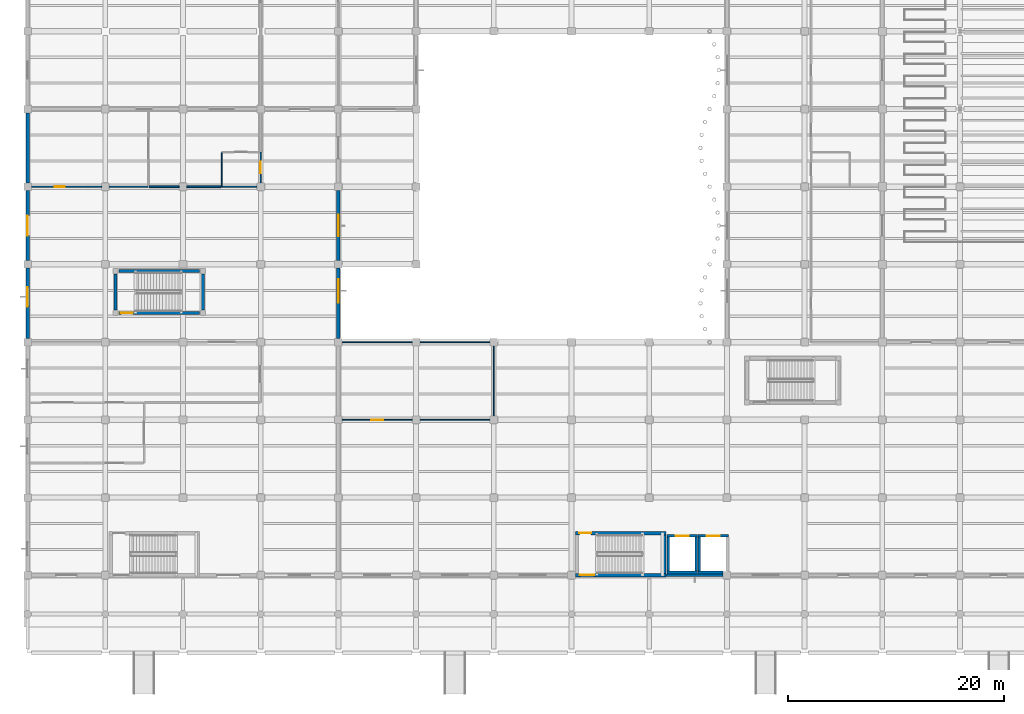
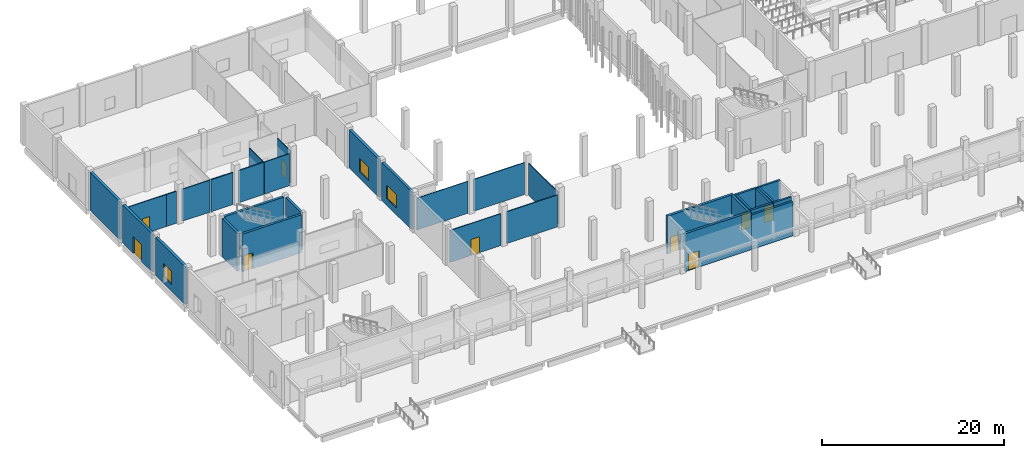
# One storey, part 23 of 46: 33 walls, 9 doors, 3 windows, 12 openings.
"""IFC4 building model written with IfcOpenShell, lengths in metres."""

from ifc_helpers import new_model, si_unit, direction, frame, frame_2d, origin, place, context, subcontext, project, spatial, rectangle, extrude, material, layer, layer_set, type_object, element, fill, save


model = new_model("IFC4")

# Units and contexts
model_context = context("Model", 3, precision=1e-05, world=origin(), true_north=direction((0.0, 1.0)))
body_context = subcontext(model_context, "Body", "Model", "MODEL_VIEW")
ifc_project = project(units=[si_unit("LENGTHUNIT", "METRE"), si_unit("AREAUNIT", "SQUARE_METRE"), si_unit("VOLUMEUNIT", "CUBIC_METRE"), si_unit("PLANEANGLEUNIT", "RADIAN"), si_unit("MASSUNIT", "GRAM", prefix="KILO"), si_unit("THERMODYNAMICTEMPERATUREUNIT", "KELVIN"), si_unit("POWERUNIT", "WATT")], contexts=[model_context])

# Site, building, storey
site_placement = place(None, origin())
site = spatial("IfcSite", under=ifc_project, at=site_placement, CompositionType="ELEMENT")
building_placement = place(site_placement, origin())
building = spatial("IfcBuilding", under=site, at=building_placement, Name="Kaldorven Railside Theatre", CompositionType="ELEMENT")
storey_placement = place(building_placement, origin())
storey = spatial("IfcBuildingStorey", under=building, at=storey_placement, Name="L00", CompositionType="ELEMENT", Elevation=0.0)

# Wall, opening, window
ifc_material_1 = material(Name="Architectural concrete C40/50", Category="concrete")
ifc_layer_1 = layer(ifc_material_1, 0.320068359375, Name="Architectural concrete C40/50")
ifc_layer_set_1 = layer_set([ifc_layer_1], Name="Architectural concrete C40/50")
wall_type_1 = type_object("IfcWallType", Name="WL-EW04", PredefinedType="SOLIDWALL", material=ifc_layer_set_1)
wall_1_placement = place(storey_placement, frame((8.0, 41.14990234375, 0.0), z_axis=(0.0, 0.0, 1.0), x_axis=(0.0, 1.0, 0.0)))
wall_1 = element("IfcWall", 1, at=wall_1_placement, inside=storey, type_object=wall_type_1, Name="V3 L00 Exterior Wall EW-0138", PredefinedType="SOLIDWALL", context=body_context, shape_type="SweptSolid", body=[
    extrude(rectangle(XDim=6.5, YDim=0.320068359375, at=frame_2d((3.25, 0.0))), origin(), (0.0, 0.0, 1.0), 5.1201171875),
])
opening_1_placement = place(wall_1_placement, frame((2.949951171875, 0.0, 0.89990234375)))
opening_1 = element("IfcOpeningElement", 2, at=opening_1_placement, cuts=wall_1, Name="Opening WN-004", PredefinedType="OPENING", context=body_context, shape_type="SweptSolid", body=[
    extrude(rectangle(XDim=1.800048828125, YDim=1.800048828125, at=frame_2d((0.89990234375, 0.89990234375))), frame((0.0, 0.169921875, 0.0), z_axis=(0.0, -1.0, 0.0), x_axis=(1.0, 0.0, 0.0)), (0.0, 0.0, 1.0), 0.340087890625),
])
ifc_material_2 = material(Name="Low-E laminated solar-control glass", Category="glass")
window_type_1 = type_object("IfcWindowType", Name="WN-EW04", PartitioningType="SINGLE_PANEL", PredefinedType="WINDOW", material=ifc_material_2)
window_1_placement = place(opening_1_placement, origin())
window_1 = element("IfcWindow", 3, at=window_1_placement, inside=storey, type_object=window_type_1, Name="Shaded Acoustic Exterior Window WN-004", OverallHeight=1.800048828125, OverallWidth=1.800048828125, PartitioningType="SINGLE_PANEL", PredefinedType="WINDOW", context=body_context, shape_type="SweptSolid", body=[
    extrude(rectangle(XDim=1.800048828125, YDim=1.800048828125, at=frame_2d((0.89990234375, 0.89990234375))), frame((0.0, 0.030029296875, 0.0), z_axis=(0.0, -1.0, 0.0), x_axis=(1.0, 0.0, 0.0)), (0.0, 0.0, 1.0), 0.06005859375),
])
fill(opening_1, window_1)

# Wall, opening, door
wall_2_placement = place(storey_placement, frame((8.0, 48.35009765625, 0.0), z_axis=(0.0, 0.0, 1.0), x_axis=(0.0, 1.0, 0.0)))
wall_2 = element("IfcWall", 4, at=wall_2_placement, inside=storey, type_object=wall_type_1, Name="V3 L00 Exterior Wall EW-0139", PredefinedType="SOLIDWALL", context=body_context, shape_type="SweptSolid", body=[
    extrude(rectangle(XDim=6.5, YDim=0.320068359375, at=frame_2d((3.25, 0.0))), origin(), (0.0, 0.0, 1.0), 5.1201171875),
])
opening_2_placement = place(wall_2_placement, frame((2.324951171875, 0.0, 0.0)))
opening_2 = element("IfcOpeningElement", 5, at=opening_2_placement, cuts=wall_2, Name="Opening ED-004", PredefinedType="OPENING", context=body_context, shape_type="SweptSolid", body=[
    extrude(rectangle(XDim=1.85009765625, YDim=2.25, at=frame_2d((0.925048828125, 1.125))), frame((0.0, 0.169921875, 0.0), z_axis=(0.0, -1.0, 0.0), x_axis=(1.0, 0.0, 0.0)), (0.0, 0.0, 1.0), 0.340087890625),
])
ifc_material_3 = material(Name="Powder-coated hollow-metal steel", Category="steel")
door_type_1 = type_object("IfcDoorType", Name="DR-ED05", OperationType="NOTDEFINED", PredefinedType="DOOR", material=ifc_material_3)
door_1_placement = place(opening_2_placement, origin())
door_1 = element("IfcDoor", 6, at=door_1_placement, inside=storey, type_object=door_type_1, Name="Main Entrance ED-004", OperationType="DOUBLE_DOOR_SINGLE_SWING", OverallHeight=2.25, OverallWidth=1.85009765625, PredefinedType="DOOR", context=body_context, shape_type="SweptSolid", body=[
    extrude(rectangle(XDim=1.85009765625, YDim=2.25, at=frame_2d((0.925048828125, 1.125))), frame((0.0, 0.02490234375, 0.0), z_axis=(0.0, -1.0, 0.0), x_axis=(1.0, 0.0, 0.0)), (0.0, 0.0, 1.0), 0.050048828125),
])
fill(opening_2, door_1)

# Wall
wall_3_placement = place(storey_placement, frame((8.0, 55.550048828125, 0.0), z_axis=(0.0, 0.0, 1.0), x_axis=(0.0, 1.0, 0.0)))
element("IfcWall", 7, at=wall_3_placement, inside=storey, type_object=wall_type_1, Name="V3 L00 Exterior Wall EW-0140", PredefinedType="SOLIDWALL", context=body_context, shape_type="SweptSolid", body=[
    extrude(rectangle(XDim=6.5, YDim=0.320068359375, at=frame_2d((3.25, 0.0))), origin(), (0.0, 0.0, 1.0), 5.1201171875),
])

# Wall, opening, window
wall_4_placement = place(storey_placement, frame((36.800048828125, 54.85009765625, 0.0), z_axis=(0.0, 0.0, 1.0), x_axis=(0.0, -1.0, 0.0)))
wall_4 = element("IfcWall", 8, at=wall_4_placement, inside=storey, type_object=wall_type_1, Name="V3 L00 Exterior Wall EW-0142", PredefinedType="SOLIDWALL", context=body_context, shape_type="SweptSolid", body=[
    extrude(rectangle(XDim=6.5, YDim=0.320068359375, at=frame_2d((3.25, 0.0))), origin(), (0.0, 0.0, 1.0), 5.1201171875),
])
opening_3_placement = place(wall_4_placement, frame((2.25, 0.0, 0.89990234375)))
opening_3 = element("IfcOpeningElement", 9, at=opening_3_placement, cuts=wall_4, Name="Opening WN-005", PredefinedType="OPENING", context=body_context, shape_type="SweptSolid", body=[
    extrude(rectangle(XDim=2.0, YDim=1.800048828125, at=frame_2d((1.0, 0.89990234375))), frame((0.0, 0.169921875, 0.0), z_axis=(0.0, -1.0, 0.0), x_axis=(1.0, 0.0, 0.0)), (0.0, 0.0, 1.0), 0.340087890625),
])
window_type_2 = type_object("IfcWindowType", Name="WN-EW05", PartitioningType="SINGLE_PANEL", PredefinedType="WINDOW", material=ifc_material_2)
window_2_placement = place(opening_3_placement, origin())
window_2 = element("IfcWindow", 10, at=window_2_placement, inside=storey, type_object=window_type_2, Name="Shaded Acoustic Exterior Window WN-005", OverallHeight=1.800048828125, OverallWidth=2.0, PartitioningType="SINGLE_PANEL", PredefinedType="WINDOW", context=body_context, shape_type="SweptSolid", body=[
    extrude(rectangle(XDim=2.0, YDim=1.800048828125, at=frame_2d((1.0, 0.89990234375))), frame((0.0, 0.030029296875, 0.0), z_axis=(0.0, -1.0, 0.0), x_axis=(1.0, 0.0, 0.0)), (0.0, 0.0, 1.0), 0.06005859375),
])
fill(opening_3, window_2)

wall_5_placement = place(storey_placement, frame((36.800048828125, 47.64990234375, 0.0), z_axis=(0.0, 0.0, 1.0), x_axis=(0.0, -1.0, 0.0)))
wall_5 = element("IfcWall", 11, at=wall_5_placement, inside=storey, type_object=wall_type_1, Name="V3 L00 Exterior Wall EW-0143", PredefinedType="SOLIDWALL", context=body_context, shape_type="SweptSolid", body=[
    extrude(rectangle(XDim=6.5, YDim=0.320068359375, at=frame_2d((3.25, 0.0))), origin(), (0.0, 0.0, 1.0), 5.1201171875),
])
opening_4_placement = place(wall_5_placement, frame((1.0, 0.0, 0.89990234375)))
opening_4 = element("IfcOpeningElement", 12, at=opening_4_placement, cuts=wall_5, Name="Opening WN-006", PredefinedType="OPENING", context=body_context, shape_type="SweptSolid", body=[
    extrude(rectangle(XDim=2.199951171875, YDim=1.800048828125, at=frame_2d((1.10009765625, 0.89990234375))), frame((0.0, 0.169921875, 0.0), z_axis=(0.0, -1.0, 0.0), x_axis=(1.0, 0.0, 0.0)), (0.0, 0.0, 1.0), 0.340087890625),
])
window_type_3 = type_object("IfcWindowType", Name="WN-EW06", PartitioningType="SINGLE_PANEL", PredefinedType="WINDOW", material=ifc_material_2)
window_3_placement = place(opening_4_placement, origin())
window_3 = element("IfcWindow", 13, at=window_3_placement, inside=storey, type_object=window_type_3, Name="Shaded Acoustic Exterior Window WN-006", OverallHeight=1.800048828125, OverallWidth=2.199951171875, PartitioningType="SINGLE_PANEL", PredefinedType="WINDOW", context=body_context, shape_type="SweptSolid", body=[
    extrude(rectangle(XDim=2.199951171875, YDim=1.800048828125, at=frame_2d((1.10009765625, 0.89990234375))), frame((0.0, 0.030029296875, 0.0), z_axis=(0.0, -1.0, 0.0), x_axis=(1.0, 0.0, 0.0)), (0.0, 0.0, 1.0), 0.06005859375),
])
fill(opening_4, window_3)

# Walls
ifc_material_4 = material(Name="Precast concrete C40/50", Category="concrete")
ifc_layer_2 = layer(ifc_material_4, 0.25, Name="Precast concrete C40/50")
ifc_layer_set_2 = layer_set([ifc_layer_2], Name="Precast concrete C40/50")
wall_type_2 = type_object("IfcWallType", Name="WL-EW06", PredefinedType="SOLIDWALL", material=ifc_layer_set_2)
wall_6_placement = place(storey_placement, frame((72.449951171875, 19.199951171875, 0.0), z_axis=(0.0, 0.0, 1.0), x_axis=(-1.0, 0.0, 0.0)))
element("IfcWall", 14, at=wall_6_placement, inside=storey, type_object=wall_type_2, Name="V5 L00 Exterior Wall EW-0201", PredefinedType="SOLIDWALL", context=body_context, shape_type="SweptSolid", body=[
    extrude(rectangle(XDim=5.300048828125, YDim=0.25, at=frame_2d((2.64990234375, 0.0))), origin(), (0.0, 0.0, 1.0), 4.64501953125),
])
ifc_material_5 = material(Name="Acoustic gypsum board")
ifc_layer_3 = layer(ifc_material_5, 0.14990234375, Name="Acoustic gypsum board")
ifc_layer_set_3 = layer_set([ifc_layer_3], Name="Acoustic gypsum board")
wall_type_3 = type_object("IfcWallType", Name="WL-IW-AC1", PredefinedType="PARTITIONING", material=ifc_layer_set_3)
wall_7_placement = place(storey_placement, frame((25.947998046875, 55.199951171875, 0.0), z_axis=(0.0, 0.0, 1.0), x_axis=(-1.0, 0.0, 0.0)))
element("IfcWall", 15, at=wall_7_placement, inside=storey, type_object=wall_type_3, Name="L00 Interior Wall IW-0464", PredefinedType="PARTITIONING", context=body_context, shape_type="SweptSolid", body=[
    extrude(rectangle(XDim=3.197998046875, YDim=0.14990234375, at=frame_2d((1.59912109375, 0.0))), origin(), (0.0, 0.0, 1.0), 4.31494140625),
])
wall_8_placement = place(storey_placement, frame((22.050048828125, 55.199951171875, 0.0), z_axis=(0.0, 0.0, 1.0), x_axis=(-1.0, 0.0, 0.0)))
element("IfcWall", 16, at=wall_8_placement, inside=storey, type_object=wall_type_3, Name="L00 Interior Wall IW-0465", PredefinedType="PARTITIONING", context=body_context, shape_type="SweptSolid", body=[
    extrude(rectangle(XDim=2.7880859375, YDim=0.14990234375, at=frame_2d((1.39404296875, 0.0))), origin(), (0.0, 0.0, 1.0), 4.31494140625),
])

# Wall, opening, door
ifc_material_6 = material(Name="Concrete C40/50", Category="concrete")
ifc_layer_4 = layer(ifc_material_6, 0.300048828125, Name="Concrete C40/50")
ifc_layer_set_4 = layer_set([ifc_layer_4], Name="Concrete C40/50")
wall_type_4 = type_object("IfcWallType", Name="WL-IW-CORE", PredefinedType="SHEAR", material=ifc_layer_set_4)
wall_9_placement = place(storey_placement, frame((23.949951171875, 43.5, 0.0), z_axis=(0.0, 0.0, 1.0), x_axis=(-1.0, 0.0, 0.0)))
wall_9 = element("IfcWall", 17, at=wall_9_placement, inside=storey, type_object=wall_type_4, Name="L00 Core Wall CW-0017", PredefinedType="SHEAR", context=body_context, shape_type="SweptSolid", body=[
    extrude(rectangle(XDim=7.5, YDim=0.300048828125, at=frame_2d((3.75, 0.0))), origin(), (0.0, 0.0, 1.0), 5.1201171875),
])
opening_5_placement = place(wall_9_placement, frame((6.199951171875, 0.0, 0.0)))
opening_5 = element("IfcOpeningElement", 18, at=opening_5_placement, cuts=wall_9, Name="Opening ID-0005", PredefinedType="OPENING", context=body_context, shape_type="SweptSolid", body=[
    extrude(rectangle(XDim=1.10009765625, YDim=2.14990234375, at=frame_2d((0.550048828125, 1.074951171875))), frame((0.0, 0.16015625, 0.0), z_axis=(0.0, -1.0, 0.0), x_axis=(1.0, 0.0, 0.0)), (0.0, 0.0, 1.0), 0.320068359375),
])
ifc_material_7 = material(Name="Acoustic hardwood timber", Category="wood")
door_type_2 = type_object("IfcDoorType", Name="DR-ID-FD60", OperationType="NOTDEFINED", PredefinedType="DOOR", material=ifc_material_7)
door_2_placement = place(opening_5_placement, origin())
door_2 = element("IfcDoor", 19, at=door_2_placement, inside=storey, type_object=door_type_2, Name="Stair ST-02 Fire Door", OperationType="SINGLE_SWING_LEFT", OverallHeight=2.14990234375, OverallWidth=1.10009765625, PredefinedType="DOOR", context=body_context, shape_type="SweptSolid", body=[
    extrude(rectangle(XDim=1.10009765625, YDim=2.14990234375, at=frame_2d((0.550048828125, 1.074951171875))), frame((0.0, 0.02490234375, 0.0), z_axis=(0.0, -1.0, 0.0), x_axis=(1.0, 0.0, 0.0)), (0.0, 0.0, 1.0), 0.050048828125),
])
fill(opening_5, door_2)

# Walls
wall_10_placement = place(storey_placement, frame((16.14990234375, 43.800048828125, 0.0), z_axis=(0.0, 0.0, 1.0), x_axis=(0.0, 1.0, 0.0)))
element("IfcWall", 20, at=wall_10_placement, inside=storey, type_object=wall_type_4, Name="L00 Core Wall CW-0018", PredefinedType="SHEAR", context=body_context, shape_type="SweptSolid", body=[
    extrude(rectangle(XDim=3.300048828125, YDim=0.300048828125, at=frame_2d((1.64990234375, 0.0))), origin(), (0.0, 0.0, 1.0), 5.1201171875),
])
wall_11_placement = place(storey_placement, frame((16.449951171875, 47.39990234375, 0.0), z_axis=(0.0, 0.0, 1.0), x_axis=(1.0, 0.0, 0.0)))
element("IfcWall", 21, at=wall_11_placement, inside=storey, type_object=wall_type_4, Name="L00 Core Wall CW-0019", PredefinedType="SHEAR", context=body_context, shape_type="SweptSolid", body=[
    extrude(rectangle(XDim=7.5, YDim=0.300048828125, at=frame_2d((3.75, 0.0))), origin(), (0.0, 0.0, 1.0), 5.1201171875),
])
wall_12_placement = place(storey_placement, frame((24.25, 47.10009765625, 0.0), z_axis=(0.0, 0.0, 1.0), x_axis=(0.0, -1.0, 0.0)))
element("IfcWall", 22, at=wall_12_placement, inside=storey, type_object=wall_type_4, Name="L00 Core Wall CW-0020", PredefinedType="SHEAR", context=body_context, shape_type="SweptSolid", body=[
    extrude(rectangle(XDim=3.300048828125, YDim=0.300048828125, at=frame_2d((1.64990234375, 0.0))), origin(), (0.0, 0.0, 1.0), 5.1201171875),
])

# Wall, opening, door
wall_13_placement = place(storey_placement, frame((67.14990234375, 19.199951171875, 0.0), z_axis=(0.0, 0.0, 1.0), x_axis=(-1.0, 0.0, 0.0)))
wall_13 = element("IfcWall", 23, at=wall_13_placement, inside=storey, type_object=wall_type_4, Name="L00 Core Wall CW-0033", PredefinedType="SHEAR", context=body_context, shape_type="SweptSolid", body=[
    extrude(rectangle(XDim=8.39990234375, YDim=0.300048828125, at=frame_2d((4.199951171875, 0.0))), origin(), (0.0, 0.0, 1.0), 5.10009765625),
])
opening_6_placement = place(wall_13_placement, frame((6.625, 0.0, 0.0)))
opening_6 = element("IfcOpeningElement", 24, at=opening_6_placement, cuts=wall_13, Name="Opening ED-202", PredefinedType="OPENING", context=body_context, shape_type="SweptSolid", body=[
    extrude(rectangle(XDim=1.35009765625, YDim=2.199951171875, at=frame_2d((0.675048828125, 1.10009765625))), frame((0.0, 0.16015625, 0.0), z_axis=(0.0, -1.0, 0.0), x_axis=(1.0, 0.0, 0.0)), (0.0, 0.0, 1.0), 0.320068359375),
])
door_type_3 = type_object("IfcDoorType", Name="DR-ED04", OperationType="NOTDEFINED", PredefinedType="DOOR", material=ifc_material_3)
door_3_placement = place(opening_6_placement, origin())
door_3 = element("IfcDoor", 25, at=door_3_placement, inside=storey, type_object=door_type_3, Name="Pedestrian Final Exit (ST-03)", OperationType="SINGLE_SWING_LEFT", OverallHeight=2.199951171875, OverallWidth=1.35009765625, PredefinedType="DOOR", context=body_context, shape_type="SweptSolid", body=[
    extrude(rectangle(XDim=1.35009765625, YDim=2.199951171875, at=frame_2d((0.675048828125, 1.10009765625))), frame((0.0, 0.02490234375, 0.0), z_axis=(0.0, -1.0, 0.0), x_axis=(1.0, 0.0, 0.0)), (0.0, 0.0, 1.0), 0.050048828125),
])
fill(opening_6, door_3)

wall_14_placement = place(storey_placement, frame((58.75, 23.10009765625, 0.0), z_axis=(0.0, 0.0, 1.0), x_axis=(1.0, 0.0, 0.0)))
wall_14 = element("IfcWall", 26, at=wall_14_placement, inside=storey, type_object=wall_type_4, Name="L00 Core Wall CW-0035", PredefinedType="SHEAR", context=body_context, shape_type="SweptSolid", body=[
    extrude(rectangle(XDim=8.39990234375, YDim=0.300048828125, at=frame_2d((4.199951171875, 0.0))), origin(), (0.0, 0.0, 1.0), 5.10009765625),
])
opening_7_placement = place(wall_14_placement, frame((0.3701171875, 0.0, 0.0)))
opening_7 = element("IfcOpeningElement", 27, at=opening_7_placement, cuts=wall_14, Name="Opening ID-0009", PredefinedType="OPENING", context=body_context, shape_type="SweptSolid", body=[
    extrude(rectangle(XDim=1.10009765625, YDim=2.14990234375, at=frame_2d((0.550048828125, 1.074951171875))), frame((0.0, 0.16015625, 0.0), z_axis=(0.0, -1.0, 0.0), x_axis=(1.0, 0.0, 0.0)), (0.0, 0.0, 1.0), 0.320068359375),
])
door_4_placement = place(opening_7_placement, origin())
door_4 = element("IfcDoor", 28, at=door_4_placement, inside=storey, type_object=door_type_2, Name="Stair ST-03 Fire Door", OperationType="SINGLE_SWING_LEFT", OverallHeight=2.14990234375, OverallWidth=1.10009765625, PredefinedType="DOOR", context=body_context, shape_type="SweptSolid", body=[
    extrude(rectangle(XDim=1.10009765625, YDim=2.14990234375, at=frame_2d((0.550048828125, 1.074951171875))), frame((0.0, 0.02490234375, 0.0), z_axis=(0.0, -1.0, 0.0), x_axis=(1.0, 0.0, 0.0)), (0.0, 0.0, 1.0), 0.050048828125),
])
fill(opening_7, door_4)

# Wall
wall_15_placement = place(storey_placement, frame((67.0, 22.947998046875, 0.0), z_axis=(0.0, 0.0, 1.0), x_axis=(0.0, -1.0, 0.0)))
element("IfcWall", 29, at=wall_15_placement, inside=storey, type_object=wall_type_4, Name="L00 Core Wall CW-0036", PredefinedType="SHEAR", context=body_context, shape_type="SweptSolid", body=[
    extrude(rectangle(XDim=3.595947265625, YDim=0.300048828125, at=frame_2d((1.7978515625, 0.0))), origin(), (0.0, 0.0, 1.0), 5.10009765625),
])

# Wall, opening, door
ifc_material_8 = material(Name="Fire-rated acoustic gypsum board")
ifc_layer_5 = layer(ifc_material_8, 0.1201171875, Name="Fire-rated acoustic gypsum board")
ifc_layer_set_5 = layer_set([ifc_layer_5], Name="Fire-rated acoustic gypsum board")
wall_type_5 = type_object("IfcWallType", Name="WL-IW-PT1", PredefinedType="PARTITIONING", material=ifc_layer_set_5)
wall_16_placement = place(storey_placement, frame((8.35009765625, 55.199951171875, 0.0), z_axis=(0.0, 0.0, 1.0), x_axis=(1.0, 0.0, 0.0)))
wall_16 = element("IfcWall", 30, at=wall_16_placement, inside=storey, type_object=wall_type_5, Name="L00 Interior Wall IW-0457", PredefinedType="PARTITIONING", context=body_context, shape_type="SweptSolid", body=[
    extrude(rectangle(XDim=5.25, YDim=0.1201171875, at=frame_2d((2.625, 0.0))), origin(), (0.0, 0.0, 1.0), 4.31494140625),
])
opening_8_placement = place(wall_16_placement, frame((2.1650390625, 0.0, 0.0)))
opening_8 = element("IfcOpeningElement", 31, at=opening_8_placement, cuts=wall_16, Name="Opening ID-0103", PredefinedType="OPENING", context=body_context, shape_type="SweptSolid", body=[
    extrude(rectangle(XDim=0.919921875, YDim=2.10009765625, at=frame_2d((0.4599609375, 1.050048828125))), frame((0.0, 0.070068359375, 0.0), z_axis=(0.0, -1.0, 0.0), x_axis=(1.0, 0.0, 0.0)), (0.0, 0.0, 1.0), 0.14013671875),
])
door_type_4 = type_object("IfcDoorType", Name="DR-ID-WC1", OperationType="NOTDEFINED", PredefinedType="DOOR", material=ifc_material_7)
door_5_placement = place(opening_8_placement, origin())
door_5 = element("IfcDoor", 32, at=door_5_placement, inside=storey, type_object=door_type_4, Name="Studio Public WC Entry Door", OperationType="SINGLE_SWING_RIGHT", OverallHeight=2.10009765625, OverallWidth=0.919921875, PredefinedType="DOOR", context=body_context, shape_type="SweptSolid", body=[
    extrude(rectangle(XDim=0.919921875, YDim=2.10009765625, at=frame_2d((0.4599609375, 1.050048828125))), frame((0.0, 0.02490234375, 0.0), z_axis=(0.0, -1.0, 0.0), x_axis=(1.0, 0.0, 0.0)), (0.0, 0.0, 1.0), 0.050048828125),
])
fill(opening_8, door_5)

# Walls
wall_17_placement = place(storey_placement, frame((15.550048828125, 55.199951171875, 0.0), z_axis=(0.0, 0.0, 1.0), x_axis=(1.0, 0.0, 0.0)))
element("IfcWall", 33, at=wall_17_placement, inside=storey, type_object=wall_type_5, Name="L00 Interior Wall IW-0458", PredefinedType="PARTITIONING", context=body_context, shape_type="SweptSolid", body=[
    extrude(rectangle(XDim=3.587890625, YDim=0.1201171875, at=frame_2d((1.7939453125, 0.0))), origin(), (0.0, 0.0, 1.0), 4.31494140625),
])
wall_18_placement = place(storey_placement, frame((13.60009765625, 55.199951171875, 0.0), z_axis=(0.0, 0.0, 1.0), x_axis=(1.0, 0.0, 0.0)))
element("IfcWall", 34, at=wall_18_placement, inside=storey, type_object=wall_type_5, Name="L00 Interior Wall IW-0459", PredefinedType="PARTITIONING", context=body_context, shape_type="SweptSolid", body=[
    extrude(rectangle(XDim=1.25, YDim=0.1201171875, at=frame_2d((0.625, 0.0))), origin(), (0.0, 0.0, 1.0), 4.31494140625),
])

# Wall, opening, door
ifc_layer_6 = layer(ifc_material_8, 0.10009765625, Name="Fire-rated acoustic gypsum board")
ifc_layer_set_6 = layer_set([ifc_layer_6], Name="Fire-rated acoustic gypsum board")
wall_type_6 = type_object("IfcWallType", Name="WL-IW-PT2", PredefinedType="PARTITIONING", material=ifc_layer_set_6)
wall_19_placement = place(storey_placement, frame((29.60009765625, 55.550048828125, 0.0), z_axis=(0.0, 0.0, 1.0), x_axis=(0.0, 1.0, 0.0)))
wall_19 = element("IfcWall", 35, at=wall_19_placement, inside=storey, type_object=wall_type_6, Name="L00 Interior Wall IW-0460", PredefinedType="PARTITIONING", context=body_context, shape_type="SweptSolid", body=[
    extrude(rectangle(XDim=2.849853515625, YDim=0.10009765625, at=frame_2d((1.4248046875, 0.0))), origin(), (0.0, 0.0, 1.0), 4.31494140625),
])
opening_9_placement = place(wall_19_placement, frame((0.89990234375, 0.0, 0.0)))
opening_9 = element("IfcOpeningElement", 36, at=opening_9_placement, cuts=wall_19, Name="Opening ID-0104", PredefinedType="OPENING", context=body_context, shape_type="SweptSolid", body=[
    extrude(rectangle(XDim=1.050048828125, YDim=2.1201171875, at=frame_2d((0.52490234375, 1.06005859375))), frame((0.0, 0.06005859375, 0.0), z_axis=(0.0, -1.0, 0.0), x_axis=(1.0, 0.0, 0.0)), (0.0, 0.0, 1.0), 0.1201171875),
])
door_type_5 = type_object("IfcDoorType", Name="DR-ID-AWC1", OperationType="NOTDEFINED", PredefinedType="DOOR", material=ifc_material_7)
door_6_placement = place(opening_9_placement, origin())
door_6 = element("IfcDoor", 37, at=door_6_placement, inside=storey, type_object=door_type_5, Name="Studio Accessible WC Entry Door", OperationType="SINGLE_SWING_LEFT", OverallHeight=2.1201171875, OverallWidth=1.050048828125, PredefinedType="DOOR", context=body_context, shape_type="SweptSolid", body=[
    extrude(rectangle(XDim=1.050048828125, YDim=2.1201171875, at=frame_2d((0.52490234375, 1.06005859375))), frame((0.0, 0.02490234375, 0.0), z_axis=(0.0, -1.0, 0.0), x_axis=(1.0, 0.0, 0.0)), (0.0, 0.0, 1.0), 0.050048828125),
])
fill(opening_9, door_6)

# Walls
wall_20_placement = place(storey_placement, frame((26.0, 58.347900390625, 0.0), z_axis=(0.0, 0.0, 1.0), x_axis=(0.0, -1.0, 0.0)))
element("IfcWall", 38, at=wall_20_placement, inside=storey, type_object=wall_type_6, Name="L00 Interior Wall IW-0462", PredefinedType="PARTITIONING", context=body_context, shape_type="SweptSolid", body=[
    extrude(rectangle(XDim=3.14794921875, YDim=0.10009765625, at=frame_2d((1.573974609375, 0.0))), origin(), (0.0, 0.0, 1.0), 4.31494140625),
])
wall_21_placement = place(storey_placement, frame((26.052001953125, 55.199951171875, 0.0), z_axis=(0.0, 0.0, 1.0), x_axis=(1.0, 0.0, 0.0)))
element("IfcWall", 39, at=wall_21_placement, inside=storey, type_object=wall_type_6, Name="L00 Interior Wall IW-0463", PredefinedType="PARTITIONING", context=body_context, shape_type="SweptSolid", body=[
    extrude(rectangle(XDim=3.197998046875, YDim=0.10009765625, at=frame_2d((1.59912109375, 0.0))), origin(), (0.0, 0.0, 1.0), 4.31494140625),
])
for number, where, z_axis, x_axis, name in (
    (40, (51.199951171875, 33.949951171875, 0.0), (0.0, 0.0, 1.0), (0.0, 1.0, 0.0), "L00 Interior Wall IW-0472"),
    (41, (50.85009765625, 40.800048828125, 0.0), (0.0, 0.0, 1.0), (-1.0, 0.0, 0.0), "L00 Interior Wall IW-0473"),
    (42, (43.64990234375, 40.800048828125, 0.0), (0.0, 0.0, 1.0), (-1.0, 0.0, 0.0), "L00 Interior Wall IW-0474"),
):
    element("IfcWall", number, at=place(storey_placement, frame(where, z_axis=z_axis, x_axis=x_axis)), inside=storey, type_object=wall_type_6, Name=name, PredefinedType="PARTITIONING", context=body_context, shape_type="SweptSolid", body=[
        extrude(rectangle(XDim=6.5, YDim=0.10009765625, at=frame_2d((3.25, 0.0))), origin(), (0.0, 0.0, 1.0), 4.294921875),
    ])

# Wall, opening, door
wall_22_placement = place(storey_placement, frame((37.14990234375, 33.60009765625, 0.0), z_axis=(0.0, 0.0, 1.0), x_axis=(1.0, 0.0, 0.0)))
wall_22 = element("IfcWall", 43, at=wall_22_placement, inside=storey, type_object=wall_type_6, Name="L00 Interior Wall IW-0475", PredefinedType="PARTITIONING", context=body_context, shape_type="SweptSolid", body=[
    extrude(rectangle(XDim=6.5, YDim=0.10009765625, at=frame_2d((3.25, 0.0))), origin(), (0.0, 0.0, 1.0), 4.294921875),
])
opening_10_placement = place(wall_22_placement, frame((2.699951171875, 0.0, 0.0)))
opening_10 = element("IfcOpeningElement", 44, at=opening_10_placement, cuts=wall_22, Name="Opening ID-0108", PredefinedType="OPENING", context=body_context, shape_type="SweptSolid", body=[
    extrude(rectangle(XDim=1.10009765625, YDim=2.14990234375, at=frame_2d((0.550048828125, 1.074951171875))), frame((0.0, 0.06005859375, 0.0), z_axis=(0.0, -1.0, 0.0), x_axis=(1.0, 0.0, 0.0)), (0.0, 0.0, 1.0), 0.1201171875),
])
door_7_placement = place(opening_10_placement, origin())
door_7 = element("IfcDoor", 45, at=door_7_placement, inside=storey, type_object=door_type_2, Name="Box Office Entry Door", OperationType="SINGLE_SWING_LEFT", OverallHeight=2.14990234375, OverallWidth=1.10009765625, PredefinedType="DOOR", context=body_context, shape_type="SweptSolid", body=[
    extrude(rectangle(XDim=1.10009765625, YDim=2.14990234375, at=frame_2d((0.550048828125, 1.074951171875))), frame((0.0, 0.02490234375, 0.0), z_axis=(0.0, -1.0, 0.0), x_axis=(1.0, 0.0, 0.0)), (0.0, 0.0, 1.0), 0.050048828125),
])
fill(opening_10, door_7)

# Walls
wall_23_placement = place(storey_placement, frame((44.35009765625, 33.60009765625, 0.0), z_axis=(0.0, 0.0, 1.0), x_axis=(1.0, 0.0, 0.0)))
element("IfcWall", 46, at=wall_23_placement, inside=storey, type_object=wall_type_6, Name="L00 Interior Wall IW-0476", PredefinedType="PARTITIONING", context=body_context, shape_type="SweptSolid", body=[
    extrude(rectangle(XDim=6.5, YDim=0.10009765625, at=frame_2d((3.25, 0.0))), origin(), (0.0, 0.0, 1.0), 4.294921875),
])
ifc_layer_7 = layer(ifc_material_6, 0.239990234375, Name="Concrete C40/50")
ifc_layer_set_7 = layer_set([ifc_layer_7], Name="Concrete C40/50")
wall_type_7 = type_object("IfcWallType", Name="WL-IW-SHAFT", PredefinedType="SHEAR", material=ifc_layer_set_7)
wall_24_placement = place(storey_placement, frame((70.070068359375, 19.449951171875, 0.0), z_axis=(0.0, 0.0, 1.0), x_axis=(-1.0, 0.0, 0.0)))
element("IfcWall", 47, at=wall_24_placement, inside=storey, type_object=wall_type_7, Name="L00 Interior Wall SW-0053", PredefinedType="SHEAR", context=body_context, shape_type="SweptSolid", body=[
    extrude(rectangle(XDim=2.840087890625, YDim=0.239990234375, at=frame_2d((1.419921875, 0.0))), origin(), (0.0, 0.0, 1.0), 5.10009765625),
])
wall_25_placement = place(storey_placement, frame((67.35009765625, 19.572021484375, 0.0), z_axis=(0.0, 0.0, 1.0), x_axis=(0.0, 1.0, 0.0)))
element("IfcWall", 48, at=wall_25_placement, inside=storey, type_object=wall_type_7, Name="L00 Interior Wall SW-0054", PredefinedType="SHEAR", context=body_context, shape_type="SweptSolid", body=[
    extrude(rectangle(XDim=3.157958984375, YDim=0.239990234375, at=frame_2d((1.5791015625, 0.0))), origin(), (0.0, 0.0, 1.0), 5.10009765625),
])

# Wall, opening, door
wall_26_placement = place(storey_placement, frame((67.22998046875, 22.85009765625, 0.0), z_axis=(0.0, 0.0, 1.0), x_axis=(1.0, 0.0, 0.0)))
wall_26 = element("IfcWall", 49, at=wall_26_placement, inside=storey, type_object=wall_type_7, Name="L00 Interior Wall SW-0055", PredefinedType="SHEAR", context=body_context, shape_type="SweptSolid", body=[
    extrude(rectangle(XDim=2.840087890625, YDim=0.239990234375, at=frame_2d((1.419921875, 0.0))), origin(), (0.0, 0.0, 1.0), 5.10009765625),
])
opening_11_placement = place(wall_26_placement, frame((0.820068359375, 0.0, 0.0)))
opening_11 = element("IfcOpeningElement", 50, at=opening_11_placement, cuts=wall_26, Name="Opening LD-002", PredefinedType="OPENING", context=body_context, shape_type="SweptSolid", body=[
    extrude(rectangle(XDim=1.199951171875, YDim=2.14990234375, at=frame_2d((0.60009765625, 1.074951171875))), frame((0.0, 0.1298828125, 0.0), z_axis=(0.0, -1.0, 0.0), x_axis=(1.0, 0.0, 0.0)), (0.0, 0.0, 1.0), 0.260009765625),
])
door_type_6 = type_object("IfcDoorType", Name="DR-LD-PASS", OperationType="NOTDEFINED", PredefinedType="DOOR", material=ifc_material_3)
door_8_placement = place(opening_11_placement, origin())
door_8 = element("IfcDoor", 51, at=door_8_placement, inside=storey, type_object=door_type_6, Name="Lift LF-P1 Sliding Landing Door", OperationType="DOUBLE_DOOR_SLIDING", OverallHeight=2.14990234375, OverallWidth=1.199951171875, PredefinedType="DOOR", context=body_context, shape_type="SweptSolid", body=[
    extrude(rectangle(XDim=1.199951171875, YDim=2.14990234375, at=frame_2d((0.60009765625, 1.074951171875))), frame((0.0, 0.02490234375, 0.0), z_axis=(0.0, -1.0, 0.0), x_axis=(1.0, 0.0, 0.0)), (0.0, 0.0, 1.0), 0.050048828125),
])
fill(opening_11, door_8)

# Walls
wall_27_placement = place(storey_placement, frame((69.949951171875, 22.72802734375, 0.0), z_axis=(0.0, 0.0, 1.0), x_axis=(0.0, -1.0, 0.0)))
element("IfcWall", 52, at=wall_27_placement, inside=storey, type_object=wall_type_7, Name="L00 Interior Wall SW-0056", PredefinedType="SHEAR", context=body_context, shape_type="SweptSolid", body=[
    extrude(rectangle(XDim=3.156005859375, YDim=0.239990234375, at=frame_2d((1.578125, 0.0))), origin(), (0.0, 0.0, 1.0), 5.10009765625),
])
wall_28_placement = place(storey_placement, frame((72.449951171875, 19.449951171875, 0.0), z_axis=(0.0, 0.0, 1.0), x_axis=(-1.0, 0.0, 0.0)))
element("IfcWall", 53, at=wall_28_placement, inside=storey, type_object=wall_type_7, Name="L00 Interior Wall SW-0073", PredefinedType="SHEAR", context=body_context, shape_type="SweptSolid", body=[
    extrude(rectangle(XDim=2.320068359375, YDim=0.239990234375, at=frame_2d((1.16015625, 0.0))), origin(), (0.0, 0.0, 1.0), 5.10009765625),
])
wall_29_placement = place(storey_placement, frame((70.25, 19.572021484375, 0.0), z_axis=(0.0, 0.0, 1.0), x_axis=(0.0, 1.0, 0.0)))
element("IfcWall", 54, at=wall_29_placement, inside=storey, type_object=wall_type_7, Name="L00 Interior Wall SW-0074", PredefinedType="SHEAR", context=body_context, shape_type="SweptSolid", body=[
    extrude(rectangle(XDim=3.157958984375, YDim=0.239990234375, at=frame_2d((1.5791015625, 0.0))), origin(), (0.0, 0.0, 1.0), 5.10009765625),
])

# Wall, opening, door
wall_30_placement = place(storey_placement, frame((70.1298828125, 22.85009765625, 0.0), z_axis=(0.0, 0.0, 1.0), x_axis=(1.0, 0.0, 0.0)))
wall_30 = element("IfcWall", 55, at=wall_30_placement, inside=storey, type_object=wall_type_7, Name="L00 Interior Wall SW-0075", PredefinedType="SHEAR", context=body_context, shape_type="SweptSolid", body=[
    extrude(rectangle(XDim=2.840087890625, YDim=0.239990234375, at=frame_2d((1.419921875, 0.0))), origin(), (0.0, 0.0, 1.0), 5.10009765625),
])
opening_12_placement = place(wall_30_placement, frame((0.820068359375, 0.0, 0.0)))
opening_12 = element("IfcOpeningElement", 56, at=opening_12_placement, cuts=wall_30, Name="Opening LD-007", PredefinedType="OPENING", context=body_context, shape_type="SweptSolid", body=[
    extrude(rectangle(XDim=1.199951171875, YDim=2.14990234375, at=frame_2d((0.60009765625, 1.074951171875))), frame((0.0, 0.1298828125, 0.0), z_axis=(0.0, -1.0, 0.0), x_axis=(1.0, 0.0, 0.0)), (0.0, 0.0, 1.0), 0.260009765625),
])
door_9_placement = place(opening_12_placement, origin())
door_9 = element("IfcDoor", 57, at=door_9_placement, inside=storey, type_object=door_type_6, Name="Lift LF-P2 Sliding Landing Door", OperationType="DOUBLE_DOOR_SLIDING", OverallHeight=2.14990234375, OverallWidth=1.199951171875, PredefinedType="DOOR", context=body_context, shape_type="SweptSolid", body=[
    extrude(rectangle(XDim=1.199951171875, YDim=2.14990234375, at=frame_2d((0.60009765625, 1.074951171875))), frame((0.0, 0.02490234375, 0.0), z_axis=(0.0, -1.0, 0.0), x_axis=(1.0, 0.0, 0.0)), (0.0, 0.0, 1.0), 0.050048828125),
])
fill(opening_12, door_9)

save(model, "model.ifc")
